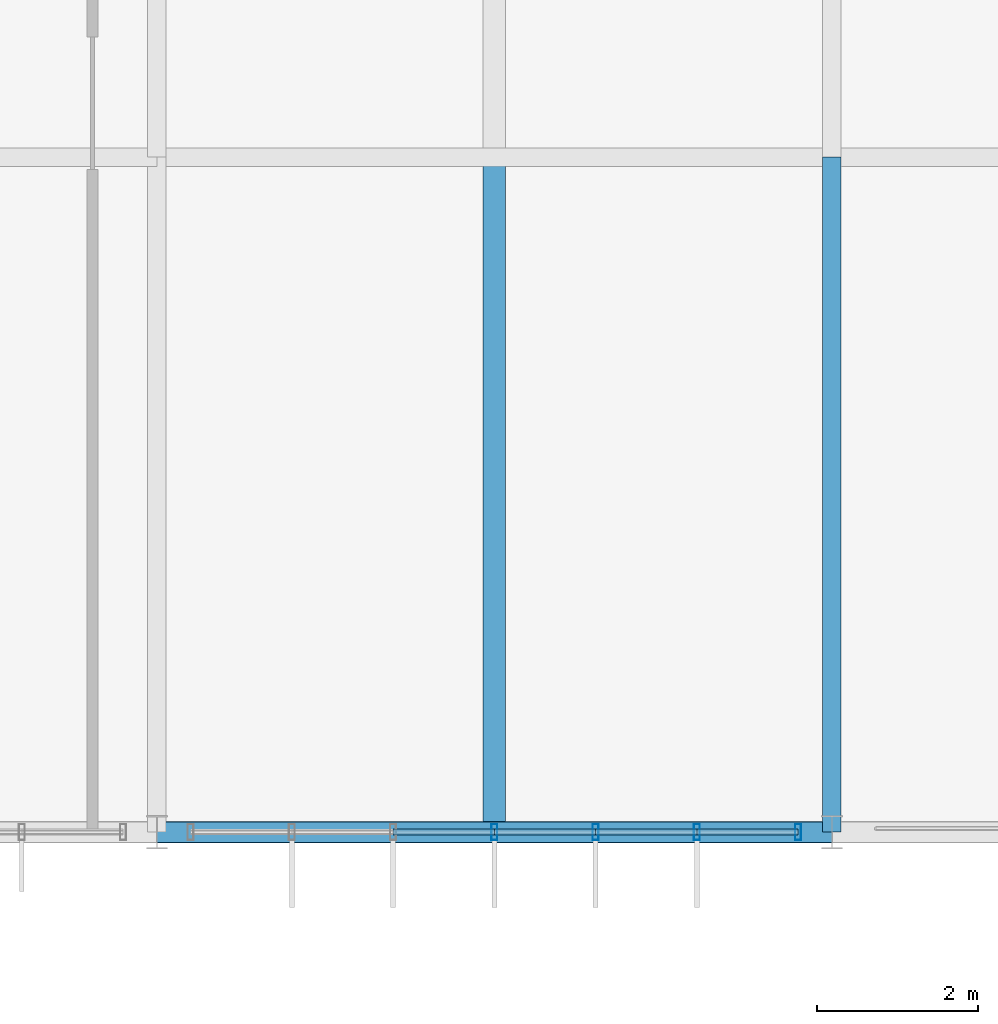
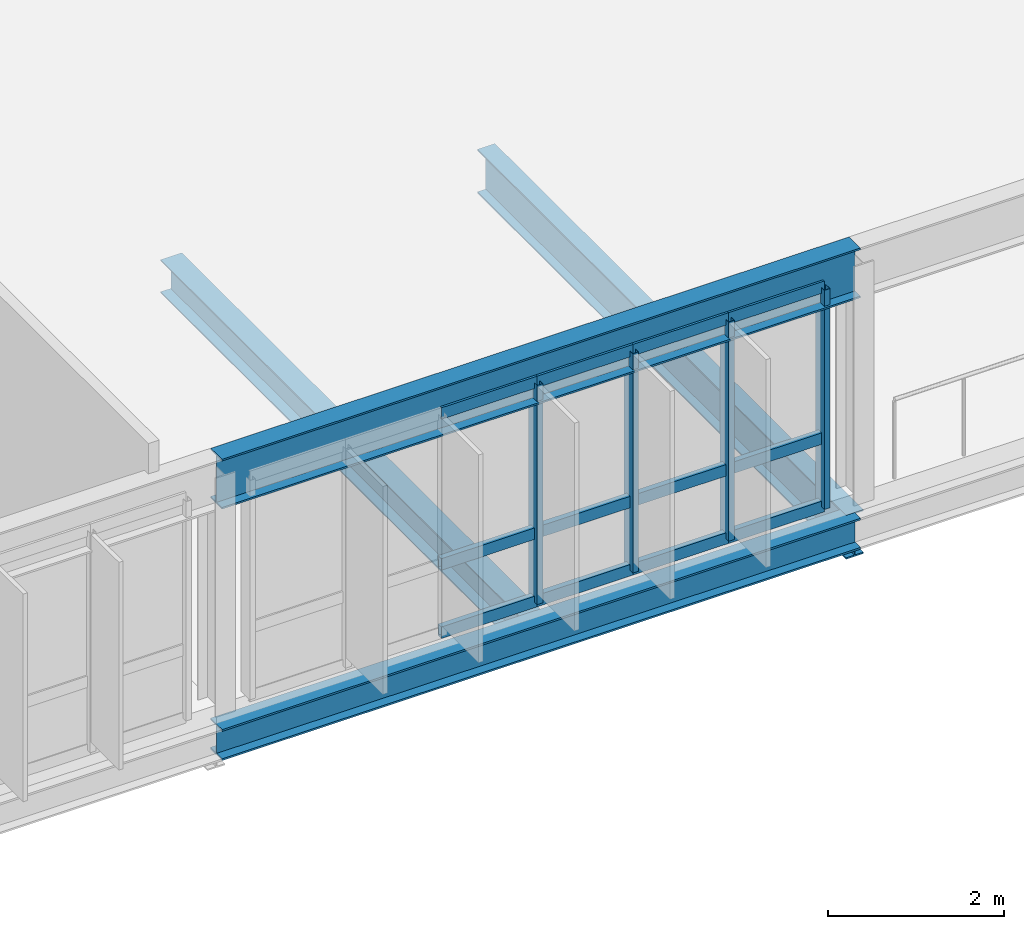
# One storey, part 16 of 107: 16 members, 4 beams, 1 element without a shape of its own.
"""IFC4 building model written with IfcOpenShell, lengths in metres."""

from ifc_helpers import new_model, si_unit, derived_unit, direction, frame, origin, origin_2d, place, context, subcontext, project, spatial, hollow_rectangle, i_section, extrude, material, layer, layer_set, material_profile, profile_set, type_object, element, aggregate, save


model = new_model("IFC4")

# Units and contexts
model_context = context("Model", 3, precision=1e-05, world=origin(), true_north=direction((0.0, 1.0)))
body_context = subcontext(model_context, "Body", "Model", "MODEL_VIEW")
ifc_project = project(units=[si_unit("LENGTHUNIT", "METRE"), si_unit("AREAUNIT", "SQUARE_METRE"), si_unit("VOLUMEUNIT", "CUBIC_METRE"), si_unit("PLANEANGLEUNIT", "RADIAN"), si_unit("MASSUNIT", "GRAM", prefix="KILO"), derived_unit("THERMALTRANSMITTANCEUNIT", [(si_unit("MASSUNIT", "GRAM", prefix="KILO"), 1), (si_unit("TIMEUNIT", "SECOND"), -3), (si_unit("THERMODYNAMICTEMPERATUREUNIT", "KELVIN"), -1)])], contexts=[model_context])

# Site, building, storey
site_placement = place(None, origin())
site = spatial("IfcSite", under=ifc_project, at=site_placement, CompositionType="ELEMENT")
building_placement = place(site_placement, origin())
building = spatial("IfcBuilding", under=site, at=building_placement, Name="Makaiwela Harbour Ferry Terminal", CompositionType="ELEMENT")
storey_placement = place(building_placement, frame((0.0, 0.0, 9.60009765625)))
storey = spatial("IfcBuildingStorey", under=building, at=storey_placement, Name="L02", CompositionType="ELEMENT", Elevation=9.60009765625)

# Curtain wall, members
ifc_material_1 = material(Name="Marine anodised aluminium 6063-T6", Category="aluminium")
ifc_layer = layer(ifc_material_1, 0.199951171875)
ifc_layer_set = layer_set([ifc_layer], Name="Marine anodised aluminium 6063-T6")
curtain_wall_type = type_object("IfcCurtainWallType", Name="ENV-CW-11", PredefinedType="USERDEFINED", material=ifc_layer_set)
curtain_wall_placement = place(storey_placement, origin())
curtain_wall = element("IfcCurtainWall", 1, at=curtain_wall_placement, inside=storey, type_object=curtain_wall_type, Name="Unitised Curtain Wall CWA-107", ObjectType="UNITIZED CURTAIN WALL", PredefinedType="USERDEFINED")
ifc_material_profile_1 = material_profile(ifc_material_1, hollow_rectangle(XDim=0.074951171875, YDim=0.199951171875, WallThickness=0.00390625, at=origin_2d()), Name="CWM-200X75")
ifc_profile_set_1 = profile_set([ifc_material_profile_1], Name="Marine anodised aluminium 6063-T6")
member_type_1 = type_object("IfcMemberType", Name="CW-MUL-200", PredefinedType="MULLION", material=ifc_profile_set_1)
member_1_placement = place(storey_placement, frame((62.580078125, 25.199951171875, 0.0), z_axis=(0.0, 0.0, 1.0), x_axis=(1.0, 0.0, 0.0)))
member_1 = element("IfcMember", 2, at=member_1_placement, type_object=member_type_1, Name="Curtain Wall Mullion CWA-107-1", PredefinedType="MULLION", context=body_context, shape_type="SweptSolid", body=[
    extrude(hollow_rectangle(XDim=0.074951171875, YDim=0.199951171875, WallThickness=0.00390625, at=origin_2d()), origin(), (0.0, 0.0, 1.0), 3.0498046875),
])
member_2_placement = place(storey_placement, frame((61.320068359375, 25.199951171875, 0.0), z_axis=(0.0, 0.0, 1.0), x_axis=(1.0, 0.0, 0.0)))
member_2 = element("IfcMember", 3, at=member_2_placement, type_object=member_type_1, Name="Curtain Wall Mullion CWA-107-2", PredefinedType="MULLION", context=body_context, shape_type="SweptSolid", body=[
    extrude(hollow_rectangle(XDim=0.074951171875, YDim=0.199951171875, WallThickness=0.00390625, at=origin_2d()), origin(), (0.0, 0.0, 1.0), 3.0498046875),
])
member_3_placement = place(storey_placement, frame((60.06005859375, 25.199951171875, 0.0), z_axis=(0.0, 0.0, 1.0), x_axis=(1.0, 0.0, 0.0)))
member_3 = element("IfcMember", 4, at=member_3_placement, type_object=member_type_1, Name="Curtain Wall Mullion CWA-107-3", PredefinedType="MULLION", context=body_context, shape_type="SweptSolid", body=[
    extrude(hollow_rectangle(XDim=0.074951171875, YDim=0.199951171875, WallThickness=0.00390625, at=origin_2d()), origin(), (0.0, 0.0, 1.0), 3.0498046875),
])
member_4_placement = place(storey_placement, frame((58.800048828125, 25.199951171875, 0.0), z_axis=(0.0, 0.0, 1.0), x_axis=(1.0, 0.0, 0.0)))
member_4 = element("IfcMember", 5, at=member_4_placement, type_object=member_type_1, Name="Curtain Wall Mullion CWA-107-4", PredefinedType="MULLION", context=body_context, shape_type="SweptSolid", body=[
    extrude(hollow_rectangle(XDim=0.074951171875, YDim=0.199951171875, WallThickness=0.00390625, at=origin_2d()), origin(), (0.0, 0.0, 1.0), 3.0498046875),
])
ifc_material_profile_2 = material_profile(ifc_material_1, hollow_rectangle(XDim=0.074951171875, YDim=0.159912109375, WallThickness=0.00390625, at=origin_2d()), Name="CWT-160X75")
ifc_profile_set_2 = profile_set([ifc_material_profile_2], Name="Marine anodised aluminium 6063-T6")
member_type_2 = type_object("IfcMemberType", Name="CW-TRN-160", PredefinedType="USERDEFINED", material=ifc_profile_set_2)
member_5_placement = place(storey_placement, frame((62.580078125, 25.199951171875, 0.0), z_axis=(-1.0, 0.0, 0.0), x_axis=(0.0, -1.0, 0.0)))
member_5 = element("IfcMember", 6, at=member_5_placement, type_object=member_type_2, Name="Curtain Wall Transom CWA-107-1-1", ObjectType="TRANSOM", PredefinedType="USERDEFINED", context=body_context, shape_type="SweptSolid", body=[
    extrude(hollow_rectangle(XDim=0.074951171875, YDim=0.159912109375, WallThickness=0.00390625, at=origin_2d()), origin(), (0.0, 0.0, 1.0), 1.260009765625),
])
member_6_placement = place(storey_placement, frame((62.580078125, 25.199951171875, 0.949951171875), z_axis=(-1.0, 0.0, 0.0), x_axis=(0.0, -1.0, 0.0)))
member_6 = element("IfcMember", 7, at=member_6_placement, type_object=member_type_2, Name="Curtain Wall Transom CWA-107-1-2", ObjectType="TRANSOM", PredefinedType="USERDEFINED", context=body_context, shape_type="SweptSolid", body=[
    extrude(hollow_rectangle(XDim=0.074951171875, YDim=0.159912109375, WallThickness=0.00390625, at=origin_2d()), origin(), (0.0, 0.0, 1.0), 1.260009765625),
])
member_7_placement = place(storey_placement, frame((62.580078125, 25.199951171875, 3.0498046875), z_axis=(-1.0, 0.0, 0.0), x_axis=(0.0, -1.0, 0.0)))
member_7 = element("IfcMember", 8, at=member_7_placement, type_object=member_type_2, Name="Curtain Wall Transom CWA-107-1-3", ObjectType="TRANSOM", PredefinedType="USERDEFINED", context=body_context, shape_type="SweptSolid", body=[
    extrude(hollow_rectangle(XDim=0.074951171875, YDim=0.159912109375, WallThickness=0.00390625, at=origin_2d()), origin(), (0.0, 0.0, 1.0), 1.260009765625),
])
member_8_placement = place(storey_placement, frame((61.320068359375, 25.199951171875, 0.0), z_axis=(-1.0, 0.0, 0.0), x_axis=(0.0, -1.0, 0.0)))
member_8 = element("IfcMember", 9, at=member_8_placement, type_object=member_type_2, Name="Curtain Wall Transom CWA-107-2-1", ObjectType="TRANSOM", PredefinedType="USERDEFINED", context=body_context, shape_type="SweptSolid", body=[
    extrude(hollow_rectangle(XDim=0.074951171875, YDim=0.159912109375, WallThickness=0.00390625, at=origin_2d()), origin(), (0.0, 0.0, 1.0), 1.260009765625),
])
member_9_placement = place(storey_placement, frame((61.320068359375, 25.199951171875, 0.949951171875), z_axis=(-1.0, 0.0, 0.0), x_axis=(0.0, -1.0, 0.0)))
member_9 = element("IfcMember", 10, at=member_9_placement, type_object=member_type_2, Name="Curtain Wall Transom CWA-107-2-2", ObjectType="TRANSOM", PredefinedType="USERDEFINED", context=body_context, shape_type="SweptSolid", body=[
    extrude(hollow_rectangle(XDim=0.074951171875, YDim=0.159912109375, WallThickness=0.00390625, at=origin_2d()), origin(), (0.0, 0.0, 1.0), 1.260009765625),
])
member_10_placement = place(storey_placement, frame((61.320068359375, 25.199951171875, 3.0498046875), z_axis=(-1.0, 0.0, 0.0), x_axis=(0.0, -1.0, 0.0)))
member_10 = element("IfcMember", 11, at=member_10_placement, type_object=member_type_2, Name="Curtain Wall Transom CWA-107-2-3", ObjectType="TRANSOM", PredefinedType="USERDEFINED", context=body_context, shape_type="SweptSolid", body=[
    extrude(hollow_rectangle(XDim=0.074951171875, YDim=0.159912109375, WallThickness=0.00390625, at=origin_2d()), origin(), (0.0, 0.0, 1.0), 1.260009765625),
])
member_11_placement = place(storey_placement, frame((60.06005859375, 25.199951171875, 0.0), z_axis=(-1.0, 0.0, 0.0), x_axis=(0.0, -1.0, 0.0)))
member_11 = element("IfcMember", 12, at=member_11_placement, type_object=member_type_2, Name="Curtain Wall Transom CWA-107-3-1", ObjectType="TRANSOM", PredefinedType="USERDEFINED", context=body_context, shape_type="SweptSolid", body=[
    extrude(hollow_rectangle(XDim=0.074951171875, YDim=0.159912109375, WallThickness=0.00390625, at=origin_2d()), origin(), (0.0, 0.0, 1.0), 1.260009765625),
])
member_12_placement = place(storey_placement, frame((60.06005859375, 25.199951171875, 0.949951171875), z_axis=(-1.0, 0.0, 0.0), x_axis=(0.0, -1.0, 0.0)))
member_12 = element("IfcMember", 13, at=member_12_placement, type_object=member_type_2, Name="Curtain Wall Transom CWA-107-3-2", ObjectType="TRANSOM", PredefinedType="USERDEFINED", context=body_context, shape_type="SweptSolid", body=[
    extrude(hollow_rectangle(XDim=0.074951171875, YDim=0.159912109375, WallThickness=0.00390625, at=origin_2d()), origin(), (0.0, 0.0, 1.0), 1.260009765625),
])
member_13_placement = place(storey_placement, frame((60.06005859375, 25.199951171875, 3.0498046875), z_axis=(-1.0, 0.0, 0.0), x_axis=(0.0, -1.0, 0.0)))
member_13 = element("IfcMember", 14, at=member_13_placement, type_object=member_type_2, Name="Curtain Wall Transom CWA-107-3-3", ObjectType="TRANSOM", PredefinedType="USERDEFINED", context=body_context, shape_type="SweptSolid", body=[
    extrude(hollow_rectangle(XDim=0.074951171875, YDim=0.159912109375, WallThickness=0.00390625, at=origin_2d()), origin(), (0.0, 0.0, 1.0), 1.260009765625),
])
member_14_placement = place(storey_placement, frame((58.800048828125, 25.199951171875, 0.0), z_axis=(-1.0, 0.0, 0.0), x_axis=(0.0, -1.0, 0.0)))
member_14 = element("IfcMember", 15, at=member_14_placement, type_object=member_type_2, Name="Curtain Wall Transom CWA-107-4-1", ObjectType="TRANSOM", PredefinedType="USERDEFINED", context=body_context, shape_type="SweptSolid", body=[
    extrude(hollow_rectangle(XDim=0.074951171875, YDim=0.159912109375, WallThickness=0.00390625, at=origin_2d()), origin(), (0.0, 0.0, 1.0), 1.260009765625),
])
member_15_placement = place(storey_placement, frame((58.800048828125, 25.199951171875, 0.949951171875), z_axis=(-1.0, 0.0, 0.0), x_axis=(0.0, -1.0, 0.0)))
member_15 = element("IfcMember", 16, at=member_15_placement, type_object=member_type_2, Name="Curtain Wall Transom CWA-107-4-2", ObjectType="TRANSOM", PredefinedType="USERDEFINED", context=body_context, shape_type="SweptSolid", body=[
    extrude(hollow_rectangle(XDim=0.074951171875, YDim=0.159912109375, WallThickness=0.00390625, at=origin_2d()), origin(), (0.0, 0.0, 1.0), 1.260009765625),
])
member_16_placement = place(storey_placement, frame((58.800048828125, 25.199951171875, 3.0498046875), z_axis=(-1.0, 0.0, 0.0), x_axis=(0.0, -1.0, 0.0)))
member_16 = element("IfcMember", 17, at=member_16_placement, type_object=member_type_2, Name="Curtain Wall Transom CWA-107-4-3", ObjectType="TRANSOM", PredefinedType="USERDEFINED", context=body_context, shape_type="SweptSolid", body=[
    extrude(hollow_rectangle(XDim=0.074951171875, YDim=0.159912109375, WallThickness=0.00390625, at=origin_2d()), origin(), (0.0, 0.0, 1.0), 1.260009765625),
])
aggregate(curtain_wall, [member_1, member_2, member_3, member_4, member_5, member_6, member_7, member_8, member_9, member_10, member_11, member_12, member_13, member_14, member_15, member_16])

# Beams
ifc_material_2 = material(Name="Steel ASTM A992 Grade 50", Category="steel")
ifc_material_profile_3 = material_profile(ifc_material_2, i_section(OverallWidth=0.280029296875, OverallDepth=0.462890625, WebThickness=0.0107421875, FlangeThickness=0.017333984375, at=origin_2d()), Name="W18X76")
ifc_profile_set_3 = profile_set([ifc_material_profile_3], Name="Steel ASTM A992 Grade 50")
beam_type_1 = type_object("IfcBeamType", Name="STR-BM-W18X76", PredefinedType="BEAM", material=ifc_profile_set_3)
beam_1_placement = place(storey_placement, frame((58.800048828125, 25.314453125, -0.49169921875), z_axis=(0.0, 1.0, 0.0), x_axis=(-1.0, 0.0, 0.0)))
element("IfcBeam", 18, at=beam_1_placement, inside=storey, type_object=beam_type_1, Name="Secondary floor beam 1464", PredefinedType="BEAM", context=body_context, shape_type="SweptSolid", body=[
    extrude(i_section(OverallWidth=0.280029296875, OverallDepth=0.462890625, WebThickness=0.0107421875, FlangeThickness=0.017333984375, at=origin_2d()), origin(), (0.0, 0.0, 1.0), 8.18896484375),
])
ifc_material_profile_4 = material_profile(ifc_material_2, i_section(OverallWidth=0.22900390625, OverallDepth=0.612060546875, WebThickness=0.011962890625, FlangeThickness=0.01953125, at=origin_2d()), Name="W24X84")
ifc_profile_set_4 = profile_set([ifc_material_profile_4], Name="Steel ASTM A992 Grade 50")
beam_type_2 = type_object("IfcBeamType", Name="STR-GRD-W24X84", PredefinedType="USERDEFINED", material=ifc_profile_set_4)
beam_2_placement = place(storey_placement, frame((63.0, 25.199951171875, -0.566162109375), z_axis=(0.0, 1.0, 0.0), x_axis=(-1.0, 0.0, 0.0)))
element("IfcBeam", 19, at=beam_2_placement, inside=storey, type_object=beam_type_2, Name="Primary Y girder 1358", ObjectType="GIRDER", PredefinedType="USERDEFINED", context=body_context, shape_type="SweptSolid", body=[
    extrude(i_section(OverallWidth=0.22900390625, OverallDepth=0.612060546875, WebThickness=0.011962890625, FlangeThickness=0.01953125, at=origin_2d()), origin(), (0.0, 0.0, 1.0), 8.400146484375),
])
ifc_material_profile_5 = material_profile(ifc_material_2, i_section(OverallWidth=0.256103515625, OverallDepth=0.693115234375, WebThickness=0.014404296875, FlangeThickness=0.023681640625, at=origin_2d()), Name="W27X114")
ifc_profile_set_5 = profile_set([ifc_material_profile_5], Name="Steel ASTM A992 Grade 50")
beam_type_3 = type_object("IfcBeamType", Name="STR-GRD-W27X114", PredefinedType="USERDEFINED", material=ifc_profile_set_5)
beam_3_placement = place(storey_placement, frame((54.60009765625, 25.199951171875, 3.14990234375), z_axis=(1.0, 0.0, 0.0), x_axis=(0.0, 1.0, 0.0)))
element("IfcBeam", 20, at=beam_3_placement, inside=storey, type_object=beam_type_3, Name="Arrivals vault springing tie girder D-4", ObjectType="GIRDER", PredefinedType="USERDEFINED", context=body_context, shape_type="SweptSolid", body=[
    extrude(i_section(OverallWidth=0.256103515625, OverallDepth=0.693115234375, WebThickness=0.014404296875, FlangeThickness=0.023681640625, at=origin_2d()), origin(), (0.0, 0.0, 1.0), 8.39990234375),
])
ifc_material_profile_6 = material_profile(ifc_material_2, i_section(OverallWidth=0.264892578125, OverallDepth=0.430908203125, WebThickness=0.014892578125, FlangeThickness=0.02490234375, at=origin_2d()), Name="W16X100")
ifc_profile_set_6 = profile_set([ifc_material_profile_6], Name="Steel ASTM A992 Grade 50")
beam_type_4 = type_object("IfcBeamType", Name="STR-SPN-W16X100", PredefinedType="SPANDREL", material=ifc_profile_set_6)
beam_4_placement = place(storey_placement, frame((54.60009765625, 25.199951171875, -0.4755859375), z_axis=(1.0, 0.0, 0.0), x_axis=(0.0, 1.0, 0.0)))
element("IfcBeam", 21, at=beam_4_placement, inside=storey, type_object=beam_type_4, Name="Primary X girder 1226", PredefinedType="SPANDREL", context=body_context, shape_type="SweptSolid", body=[
    extrude(i_section(OverallWidth=0.264892578125, OverallDepth=0.430908203125, WebThickness=0.014892578125, FlangeThickness=0.02490234375, at=origin_2d()), origin(), (0.0, 0.0, 1.0), 8.39990234375),
])

save(model, "model.ifc")
